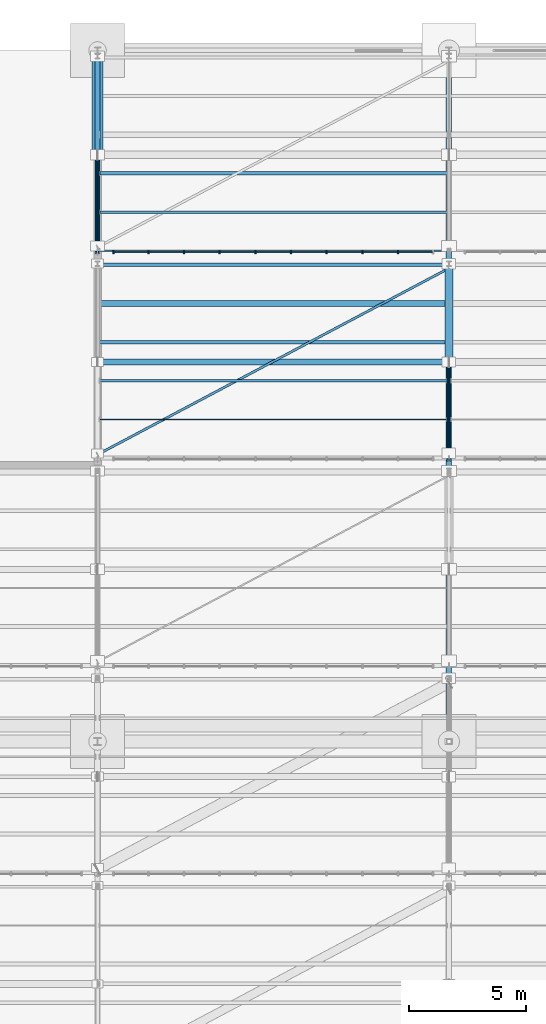
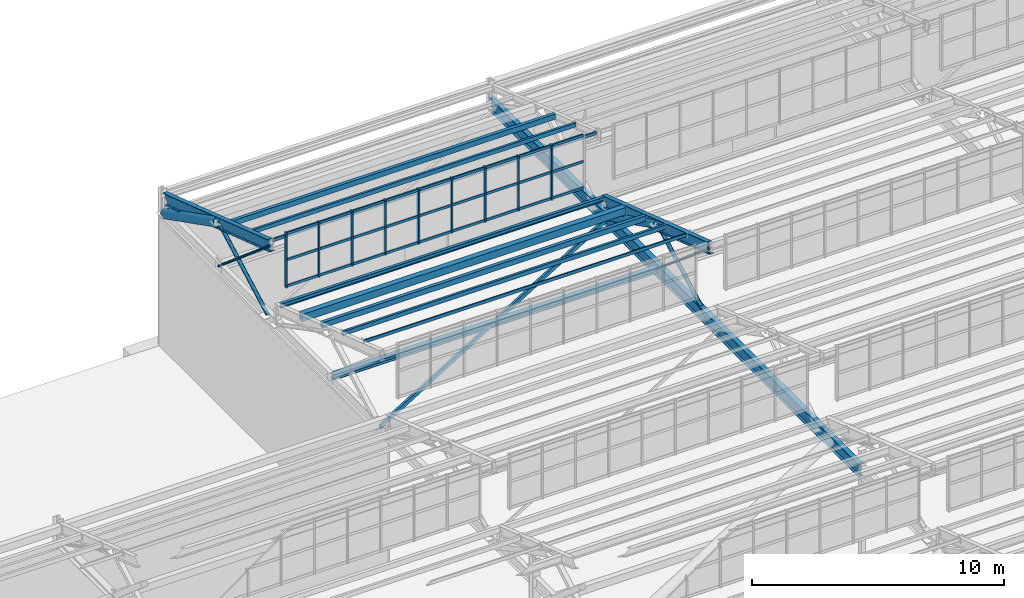
# One storey, part 134 of 285: 44 members, 11 beams, 1 element without a shape of its own.
"""IFC4 building model written with IfcOpenShell, lengths in metres."""

from ifc_helpers import new_model, si_unit, direction, frame, origin, origin_2d, place, context, subcontext, project, spatial, rectangle, hollow_rectangle, hollow_circle, i_section, extrude, material, material_profile, profile_set, type_object, element, aggregate, save


model = new_model("IFC4")

# Units and contexts
model_context = context("Model", 3, precision=1e-05, world=origin(), true_north=direction((0.0, 1.0)))
body_context = subcontext(model_context, "Body", "Model", "MODEL_VIEW")
ifc_project = project(units=[si_unit("LENGTHUNIT", "METRE"), si_unit("AREAUNIT", "SQUARE_METRE"), si_unit("VOLUMEUNIT", "CUBIC_METRE"), si_unit("PLANEANGLEUNIT", "RADIAN"), si_unit("MASSUNIT", "GRAM", prefix="KILO")], contexts=[model_context])

# Site, building, storey
site_placement = place(None, origin())
site = spatial("IfcSite", under=ifc_project, at=site_placement, CompositionType="ELEMENT")
building_placement = place(site_placement, origin())
building = spatial("IfcBuilding", under=site, at=building_placement, Name="Solanera Park Tramway Depot", CompositionType="ELEMENT")
storey_placement = place(building_placement, origin())
storey = spatial("IfcBuildingStorey", under=building, at=storey_placement, Name="L00", CompositionType="ELEMENT", Elevation=0.0)

# Curtain wall, members
ifc_material_1 = material(Name="Bronze-anodised thermally broken aluminium curtain wall", Category="aluminium")
curtain_wall_type = type_object("IfcCurtainWallType", Name="Sawtooth Clerestory Monitor Curtain Wall", PredefinedType="NOTDEFINED", material=ifc_material_1)
curtain_wall_placement = place(storey_placement, origin())
curtain_wall = element("IfcCurtainWall", 1, at=curtain_wall_placement, inside=storey, type_object=curtain_wall_type, Name="L00 Sawtooth Clerestory Monitor Curtain Wall #069", PredefinedType="NOTDEFINED")
ifc_material_2 = material(Name="Bronze-anodised structural aluminium 6063-T6", Category="aluminium")
ifc_material_profile_1 = material_profile(ifc_material_2, rectangle(XDim=0.06494140625, YDim=0.14990234375, at=origin_2d()), Name="Curtain Wall Mullion 65x150")
ifc_profile_set_1 = profile_set([ifc_material_profile_1], Name="Bronze-anodised structural aluminium 6063-T6")
member_type_1 = type_object("IfcMemberType", Name="Curtain Wall Mullion 65x150", PredefinedType="MULLION", material=ifc_profile_set_1)
member_1_placement = place(storey_placement, frame((90.6826171875, 135.39990234375, 7.75), z_axis=(0.0, 0.0, 1.0), x_axis=(1.0, 0.0, 0.0)))
member_1 = element("IfcMember", 2, at=member_1_placement, type_object=member_type_1, Name="CW-L00-069 Mullion 1", PredefinedType="MULLION", context=body_context, shape_type="SweptSolid", body=[
    extrude(rectangle(XDim=0.06494140625, YDim=0.14990234375, at=origin_2d()), origin(), (0.0, 0.0, 1.0), 2.6611328125),
])
member_2_placement = place(storey_placement, frame((92.172119140625, 135.39990234375, 7.75), z_axis=(0.0, 0.0, 1.0), x_axis=(1.0, 0.0, 0.0)))
member_2 = element("IfcMember", 3, at=member_2_placement, type_object=member_type_1, Name="CW-L00-069 Mullion 2", PredefinedType="MULLION", context=body_context, shape_type="SweptSolid", body=[
    extrude(rectangle(XDim=0.06494140625, YDim=0.14990234375, at=origin_2d()), origin(), (0.0, 0.0, 1.0), 2.6611328125),
])
member_3_placement = place(storey_placement, frame((93.6943359375, 135.39990234375, 7.75), z_axis=(0.0, 0.0, 1.0), x_axis=(1.0, 0.0, 0.0)))
member_3 = element("IfcMember", 4, at=member_3_placement, type_object=member_type_1, Name="CW-L00-069 Mullion 3", PredefinedType="MULLION", context=body_context, shape_type="SweptSolid", body=[
    extrude(rectangle(XDim=0.06494140625, YDim=0.14990234375, at=origin_2d()), origin(), (0.0, 0.0, 1.0), 2.6611328125),
])
member_4_placement = place(storey_placement, frame((95.216796875, 135.39990234375, 7.75), z_axis=(0.0, 0.0, 1.0), x_axis=(1.0, 0.0, 0.0)))
member_4 = element("IfcMember", 5, at=member_4_placement, type_object=member_type_1, Name="CW-L00-069 Mullion 4", PredefinedType="MULLION", context=body_context, shape_type="SweptSolid", body=[
    extrude(rectangle(XDim=0.06494140625, YDim=0.14990234375, at=origin_2d()), origin(), (0.0, 0.0, 1.0), 2.6611328125),
])
member_5_placement = place(storey_placement, frame((96.739013671875, 135.39990234375, 7.75), z_axis=(0.0, 0.0, 1.0), x_axis=(1.0, 0.0, 0.0)))
member_5 = element("IfcMember", 6, at=member_5_placement, type_object=member_type_1, Name="CW-L00-069 Mullion 5", PredefinedType="MULLION", context=body_context, shape_type="SweptSolid", body=[
    extrude(rectangle(XDim=0.06494140625, YDim=0.14990234375, at=origin_2d()), origin(), (0.0, 0.0, 1.0), 2.6611328125),
])
member_6_placement = place(storey_placement, frame((98.260986328125, 135.39990234375, 7.75), z_axis=(0.0, 0.0, 1.0), x_axis=(1.0, 0.0, 0.0)))
member_6 = element("IfcMember", 7, at=member_6_placement, type_object=member_type_1, Name="CW-L00-069 Mullion 6", PredefinedType="MULLION", context=body_context, shape_type="SweptSolid", body=[
    extrude(rectangle(XDim=0.06494140625, YDim=0.14990234375, at=origin_2d()), origin(), (0.0, 0.0, 1.0), 2.6611328125),
])
member_7_placement = place(storey_placement, frame((99.783203125, 135.39990234375, 7.75), z_axis=(0.0, 0.0, 1.0), x_axis=(1.0, 0.0, 0.0)))
member_7 = element("IfcMember", 8, at=member_7_placement, type_object=member_type_1, Name="CW-L00-069 Mullion 7", PredefinedType="MULLION", context=body_context, shape_type="SweptSolid", body=[
    extrude(rectangle(XDim=0.06494140625, YDim=0.14990234375, at=origin_2d()), origin(), (0.0, 0.0, 1.0), 2.6611328125),
])
member_8_placement = place(storey_placement, frame((101.3056640625, 135.39990234375, 7.75), z_axis=(0.0, 0.0, 1.0), x_axis=(1.0, 0.0, 0.0)))
member_8 = element("IfcMember", 9, at=member_8_placement, type_object=member_type_1, Name="CW-L00-069 Mullion 8", PredefinedType="MULLION", context=body_context, shape_type="SweptSolid", body=[
    extrude(rectangle(XDim=0.06494140625, YDim=0.14990234375, at=origin_2d()), origin(), (0.0, 0.0, 1.0), 2.6611328125),
])
member_9_placement = place(storey_placement, frame((102.827880859375, 135.39990234375, 7.75), z_axis=(0.0, 0.0, 1.0), x_axis=(1.0, 0.0, 0.0)))
member_9 = element("IfcMember", 10, at=member_9_placement, type_object=member_type_1, Name="CW-L00-069 Mullion 9", PredefinedType="MULLION", context=body_context, shape_type="SweptSolid", body=[
    extrude(rectangle(XDim=0.06494140625, YDim=0.14990234375, at=origin_2d()), origin(), (0.0, 0.0, 1.0), 2.6611328125),
])
ifc_material_3 = material(Name="Bronze-anodised structural aluminium 6063-T6", Category="aluminium")
ifc_material_profile_2 = material_profile(ifc_material_3, rectangle(XDim=0.06494140625, YDim=0.1201171875, at=origin_2d()), Name="Curtain Wall Transom 65x120")
ifc_profile_set_2 = profile_set([ifc_material_profile_2], Name="Bronze-anodised structural aluminium 6063-T6")
member_type_2 = type_object("IfcMemberType", Name="Curtain Wall Transom 65x120", PredefinedType="USERDEFINED", material=ifc_profile_set_2)
member_10_placement = place(storey_placement, frame((90.71044921875, 135.39990234375, 7.81005859375), z_axis=(1.0, 0.0, 0.0), x_axis=(0.0, 1.0, 0.0)))
member_10 = element("IfcMember", 11, at=member_10_placement, type_object=member_type_2, Name="CW-L00-069 Transom R1.C1", ObjectType="TRANSOM", PredefinedType="USERDEFINED", context=body_context, shape_type="SweptSolid", body=[
    extrude(rectangle(XDim=0.06494140625, YDim=0.1201171875, at=origin_2d()), origin(), (0.0, 0.0, 1.0), 1.433837890625),
])
member_11_placement = place(storey_placement, frame((92.2001953125, 135.39990234375, 7.81005859375), z_axis=(1.0, 0.0, 0.0), x_axis=(0.0, 1.0, 0.0)))
member_11 = element("IfcMember", 12, at=member_11_placement, type_object=member_type_2, Name="CW-L00-069 Transom R1.C2", ObjectType="TRANSOM", PredefinedType="USERDEFINED", context=body_context, shape_type="SweptSolid", body=[
    extrude(rectangle(XDim=0.06494140625, YDim=0.1201171875, at=origin_2d()), origin(), (0.0, 0.0, 1.0), 1.46630859375),
])
member_12_placement = place(storey_placement, frame((93.722412109375, 135.39990234375, 7.81005859375), z_axis=(1.0, 0.0, 0.0), x_axis=(0.0, 1.0, 0.0)))
member_12 = element("IfcMember", 13, at=member_12_placement, type_object=member_type_2, Name="CW-L00-069 Transom R1.C3", ObjectType="TRANSOM", PredefinedType="USERDEFINED", context=body_context, shape_type="SweptSolid", body=[
    extrude(rectangle(XDim=0.06494140625, YDim=0.1201171875, at=origin_2d()), origin(), (0.0, 0.0, 1.0), 1.46630859375),
])
member_13_placement = place(storey_placement, frame((95.24462890625, 135.39990234375, 7.81005859375), z_axis=(1.0, 0.0, 0.0), x_axis=(0.0, 1.0, 0.0)))
member_13 = element("IfcMember", 14, at=member_13_placement, type_object=member_type_2, Name="CW-L00-069 Transom R1.C4", ObjectType="TRANSOM", PredefinedType="USERDEFINED", context=body_context, shape_type="SweptSolid", body=[
    extrude(rectangle(XDim=0.06494140625, YDim=0.1201171875, at=origin_2d()), origin(), (0.0, 0.0, 1.0), 1.46630859375),
])
member_14_placement = place(storey_placement, frame((96.766845703125, 135.39990234375, 7.81005859375), z_axis=(1.0, 0.0, 0.0), x_axis=(0.0, 1.0, 0.0)))
member_14 = element("IfcMember", 15, at=member_14_placement, type_object=member_type_2, Name="CW-L00-069 Transom R1.C5", ObjectType="TRANSOM", PredefinedType="USERDEFINED", context=body_context, shape_type="SweptSolid", body=[
    extrude(rectangle(XDim=0.06494140625, YDim=0.1201171875, at=origin_2d()), origin(), (0.0, 0.0, 1.0), 1.46630859375),
])
member_15_placement = place(storey_placement, frame((98.2890625, 135.39990234375, 7.81005859375), z_axis=(1.0, 0.0, 0.0), x_axis=(0.0, 1.0, 0.0)))
member_15 = element("IfcMember", 16, at=member_15_placement, type_object=member_type_2, Name="CW-L00-069 Transom R1.C6", ObjectType="TRANSOM", PredefinedType="USERDEFINED", context=body_context, shape_type="SweptSolid", body=[
    extrude(rectangle(XDim=0.06494140625, YDim=0.1201171875, at=origin_2d()), origin(), (0.0, 0.0, 1.0), 1.46630859375),
])
member_16_placement = place(storey_placement, frame((99.811279296875, 135.39990234375, 7.81005859375), z_axis=(1.0, 0.0, 0.0), x_axis=(0.0, 1.0, 0.0)))
member_16 = element("IfcMember", 17, at=member_16_placement, type_object=member_type_2, Name="CW-L00-069 Transom R1.C7", ObjectType="TRANSOM", PredefinedType="USERDEFINED", context=body_context, shape_type="SweptSolid", body=[
    extrude(rectangle(XDim=0.06494140625, YDim=0.1201171875, at=origin_2d()), origin(), (0.0, 0.0, 1.0), 1.46630859375),
])
member_17_placement = place(storey_placement, frame((101.33349609375, 135.39990234375, 7.81005859375), z_axis=(1.0, 0.0, 0.0), x_axis=(0.0, 1.0, 0.0)))
member_17 = element("IfcMember", 18, at=member_17_placement, type_object=member_type_2, Name="CW-L00-069 Transom R1.C8", ObjectType="TRANSOM", PredefinedType="USERDEFINED", context=body_context, shape_type="SweptSolid", body=[
    extrude(rectangle(XDim=0.06494140625, YDim=0.1201171875, at=origin_2d()), origin(), (0.0, 0.0, 1.0), 1.46630859375),
])
member_18_placement = place(storey_placement, frame((102.855712890625, 135.39990234375, 7.81005859375), z_axis=(1.0, 0.0, 0.0), x_axis=(0.0, 1.0, 0.0)))
member_18 = element("IfcMember", 19, at=member_18_placement, type_object=member_type_2, Name="CW-L00-069 Transom R1.C9", ObjectType="TRANSOM", PredefinedType="USERDEFINED", context=body_context, shape_type="SweptSolid", body=[
    extrude(rectangle(XDim=0.06494140625, YDim=0.1201171875, at=origin_2d()), origin(), (0.0, 0.0, 1.0), 1.433837890625),
])
member_19_placement = place(storey_placement, frame((90.71044921875, 135.39990234375, 9.08056640625), z_axis=(1.0, 0.0, 0.0), x_axis=(0.0, 1.0, 0.0)))
member_19 = element("IfcMember", 20, at=member_19_placement, type_object=member_type_2, Name="CW-L00-069 Transom R2.C1", ObjectType="TRANSOM", PredefinedType="USERDEFINED", context=body_context, shape_type="SweptSolid", body=[
    extrude(rectangle(XDim=0.06494140625, YDim=0.1201171875, at=origin_2d()), origin(), (0.0, 0.0, 1.0), 1.433837890625),
])
member_20_placement = place(storey_placement, frame((92.2001953125, 135.39990234375, 9.08056640625), z_axis=(1.0, 0.0, 0.0), x_axis=(0.0, 1.0, 0.0)))
member_20 = element("IfcMember", 21, at=member_20_placement, type_object=member_type_2, Name="CW-L00-069 Transom R2.C2", ObjectType="TRANSOM", PredefinedType="USERDEFINED", context=body_context, shape_type="SweptSolid", body=[
    extrude(rectangle(XDim=0.06494140625, YDim=0.1201171875, at=origin_2d()), origin(), (0.0, 0.0, 1.0), 1.46630859375),
])
member_21_placement = place(storey_placement, frame((93.722412109375, 135.39990234375, 9.08056640625), z_axis=(1.0, 0.0, 0.0), x_axis=(0.0, 1.0, 0.0)))
member_21 = element("IfcMember", 22, at=member_21_placement, type_object=member_type_2, Name="CW-L00-069 Transom R2.C3", ObjectType="TRANSOM", PredefinedType="USERDEFINED", context=body_context, shape_type="SweptSolid", body=[
    extrude(rectangle(XDim=0.06494140625, YDim=0.1201171875, at=origin_2d()), origin(), (0.0, 0.0, 1.0), 1.46630859375),
])
member_22_placement = place(storey_placement, frame((95.24462890625, 135.39990234375, 9.08056640625), z_axis=(1.0, 0.0, 0.0), x_axis=(0.0, 1.0, 0.0)))
member_22 = element("IfcMember", 23, at=member_22_placement, type_object=member_type_2, Name="CW-L00-069 Transom R2.C4", ObjectType="TRANSOM", PredefinedType="USERDEFINED", context=body_context, shape_type="SweptSolid", body=[
    extrude(rectangle(XDim=0.06494140625, YDim=0.1201171875, at=origin_2d()), origin(), (0.0, 0.0, 1.0), 1.46630859375),
])
member_23_placement = place(storey_placement, frame((96.766845703125, 135.39990234375, 9.08056640625), z_axis=(1.0, 0.0, 0.0), x_axis=(0.0, 1.0, 0.0)))
member_23 = element("IfcMember", 24, at=member_23_placement, type_object=member_type_2, Name="CW-L00-069 Transom R2.C5", ObjectType="TRANSOM", PredefinedType="USERDEFINED", context=body_context, shape_type="SweptSolid", body=[
    extrude(rectangle(XDim=0.06494140625, YDim=0.1201171875, at=origin_2d()), origin(), (0.0, 0.0, 1.0), 1.46630859375),
])
member_24_placement = place(storey_placement, frame((98.2890625, 135.39990234375, 9.08056640625), z_axis=(1.0, 0.0, 0.0), x_axis=(0.0, 1.0, 0.0)))
member_24 = element("IfcMember", 25, at=member_24_placement, type_object=member_type_2, Name="CW-L00-069 Transom R2.C6", ObjectType="TRANSOM", PredefinedType="USERDEFINED", context=body_context, shape_type="SweptSolid", body=[
    extrude(rectangle(XDim=0.06494140625, YDim=0.1201171875, at=origin_2d()), origin(), (0.0, 0.0, 1.0), 1.46630859375),
])
member_25_placement = place(storey_placement, frame((99.811279296875, 135.39990234375, 9.08056640625), z_axis=(1.0, 0.0, 0.0), x_axis=(0.0, 1.0, 0.0)))
member_25 = element("IfcMember", 26, at=member_25_placement, type_object=member_type_2, Name="CW-L00-069 Transom R2.C7", ObjectType="TRANSOM", PredefinedType="USERDEFINED", context=body_context, shape_type="SweptSolid", body=[
    extrude(rectangle(XDim=0.06494140625, YDim=0.1201171875, at=origin_2d()), origin(), (0.0, 0.0, 1.0), 1.46630859375),
])
member_26_placement = place(storey_placement, frame((101.33349609375, 135.39990234375, 9.08056640625), z_axis=(1.0, 0.0, 0.0), x_axis=(0.0, 1.0, 0.0)))
member_26 = element("IfcMember", 27, at=member_26_placement, type_object=member_type_2, Name="CW-L00-069 Transom R2.C8", ObjectType="TRANSOM", PredefinedType="USERDEFINED", context=body_context, shape_type="SweptSolid", body=[
    extrude(rectangle(XDim=0.06494140625, YDim=0.1201171875, at=origin_2d()), origin(), (0.0, 0.0, 1.0), 1.46630859375),
])
member_27_placement = place(storey_placement, frame((102.855712890625, 135.39990234375, 9.08056640625), z_axis=(1.0, 0.0, 0.0), x_axis=(0.0, 1.0, 0.0)))
member_27 = element("IfcMember", 28, at=member_27_placement, type_object=member_type_2, Name="CW-L00-069 Transom R2.C9", ObjectType="TRANSOM", PredefinedType="USERDEFINED", context=body_context, shape_type="SweptSolid", body=[
    extrude(rectangle(XDim=0.06494140625, YDim=0.1201171875, at=origin_2d()), origin(), (0.0, 0.0, 1.0), 1.433837890625),
])
member_28_placement = place(storey_placement, frame((90.71044921875, 135.39990234375, 10.351318359375), z_axis=(1.0, 0.0, 0.0), x_axis=(0.0, 1.0, 0.0)))
member_28 = element("IfcMember", 29, at=member_28_placement, type_object=member_type_2, Name="CW-L00-069 Transom R3.C1", ObjectType="TRANSOM", PredefinedType="USERDEFINED", context=body_context, shape_type="SweptSolid", body=[
    extrude(rectangle(XDim=0.06494140625, YDim=0.1201171875, at=origin_2d()), origin(), (0.0, 0.0, 1.0), 1.433837890625),
])
member_29_placement = place(storey_placement, frame((92.2001953125, 135.39990234375, 10.351318359375), z_axis=(1.0, 0.0, 0.0), x_axis=(0.0, 1.0, 0.0)))
member_29 = element("IfcMember", 30, at=member_29_placement, type_object=member_type_2, Name="CW-L00-069 Transom R3.C2", ObjectType="TRANSOM", PredefinedType="USERDEFINED", context=body_context, shape_type="SweptSolid", body=[
    extrude(rectangle(XDim=0.06494140625, YDim=0.1201171875, at=origin_2d()), origin(), (0.0, 0.0, 1.0), 1.46630859375),
])
member_30_placement = place(storey_placement, frame((93.722412109375, 135.39990234375, 10.351318359375), z_axis=(1.0, 0.0, 0.0), x_axis=(0.0, 1.0, 0.0)))
member_30 = element("IfcMember", 31, at=member_30_placement, type_object=member_type_2, Name="CW-L00-069 Transom R3.C3", ObjectType="TRANSOM", PredefinedType="USERDEFINED", context=body_context, shape_type="SweptSolid", body=[
    extrude(rectangle(XDim=0.06494140625, YDim=0.1201171875, at=origin_2d()), origin(), (0.0, 0.0, 1.0), 1.46630859375),
])
member_31_placement = place(storey_placement, frame((95.24462890625, 135.39990234375, 10.351318359375), z_axis=(1.0, 0.0, 0.0), x_axis=(0.0, 1.0, 0.0)))
member_31 = element("IfcMember", 32, at=member_31_placement, type_object=member_type_2, Name="CW-L00-069 Transom R3.C4", ObjectType="TRANSOM", PredefinedType="USERDEFINED", context=body_context, shape_type="SweptSolid", body=[
    extrude(rectangle(XDim=0.06494140625, YDim=0.1201171875, at=origin_2d()), origin(), (0.0, 0.0, 1.0), 1.46630859375),
])
member_32_placement = place(storey_placement, frame((96.766845703125, 135.39990234375, 10.351318359375), z_axis=(1.0, 0.0, 0.0), x_axis=(0.0, 1.0, 0.0)))
member_32 = element("IfcMember", 33, at=member_32_placement, type_object=member_type_2, Name="CW-L00-069 Transom R3.C5", ObjectType="TRANSOM", PredefinedType="USERDEFINED", context=body_context, shape_type="SweptSolid", body=[
    extrude(rectangle(XDim=0.06494140625, YDim=0.1201171875, at=origin_2d()), origin(), (0.0, 0.0, 1.0), 1.46630859375),
])
member_33_placement = place(storey_placement, frame((98.2890625, 135.39990234375, 10.351318359375), z_axis=(1.0, 0.0, 0.0), x_axis=(0.0, 1.0, 0.0)))
member_33 = element("IfcMember", 34, at=member_33_placement, type_object=member_type_2, Name="CW-L00-069 Transom R3.C6", ObjectType="TRANSOM", PredefinedType="USERDEFINED", context=body_context, shape_type="SweptSolid", body=[
    extrude(rectangle(XDim=0.06494140625, YDim=0.1201171875, at=origin_2d()), origin(), (0.0, 0.0, 1.0), 1.46630859375),
])
member_34_placement = place(storey_placement, frame((99.811279296875, 135.39990234375, 10.351318359375), z_axis=(1.0, 0.0, 0.0), x_axis=(0.0, 1.0, 0.0)))
member_34 = element("IfcMember", 35, at=member_34_placement, type_object=member_type_2, Name="CW-L00-069 Transom R3.C7", ObjectType="TRANSOM", PredefinedType="USERDEFINED", context=body_context, shape_type="SweptSolid", body=[
    extrude(rectangle(XDim=0.06494140625, YDim=0.1201171875, at=origin_2d()), origin(), (0.0, 0.0, 1.0), 1.46630859375),
])
member_35_placement = place(storey_placement, frame((101.33349609375, 135.39990234375, 10.351318359375), z_axis=(1.0, 0.0, 0.0), x_axis=(0.0, 1.0, 0.0)))
member_35 = element("IfcMember", 36, at=member_35_placement, type_object=member_type_2, Name="CW-L00-069 Transom R3.C8", ObjectType="TRANSOM", PredefinedType="USERDEFINED", context=body_context, shape_type="SweptSolid", body=[
    extrude(rectangle(XDim=0.06494140625, YDim=0.1201171875, at=origin_2d()), origin(), (0.0, 0.0, 1.0), 1.46630859375),
])
member_36_placement = place(storey_placement, frame((102.855712890625, 135.39990234375, 10.351318359375), z_axis=(1.0, 0.0, 0.0), x_axis=(0.0, 1.0, 0.0)))
member_36 = element("IfcMember", 37, at=member_36_placement, type_object=member_type_2, Name="CW-L00-069 Transom R3.C9", ObjectType="TRANSOM", PredefinedType="USERDEFINED", context=body_context, shape_type="SweptSolid", body=[
    extrude(rectangle(XDim=0.06494140625, YDim=0.1201171875, at=origin_2d()), origin(), (0.0, 0.0, 1.0), 1.433837890625),
])
aggregate(curtain_wall, [member_1, member_2, member_3, member_4, member_5, member_6, member_7, member_8, member_9, member_10, member_11, member_12, member_13, member_14, member_15, member_16, member_17, member_18, member_19, member_20, member_21, member_22, member_23, member_24, member_25, member_26, member_27, member_28, member_29, member_30, member_31, member_32, member_33, member_34, member_35, member_36])

# Members
ifc_material_4 = material(Name="Steel AS/NZS 1163 Grade C350L0", Category="steel")
ifc_material_profile_3 = material_profile(ifc_material_4, hollow_circle(Radius=0.084228515625, WallThickness=0.00634765625, at=origin_2d()), Name="168.3x6.4 CHS")
ifc_profile_set_3 = profile_set([ifc_material_profile_3], Name="Steel AS/NZS 1163 Grade C350L0")
member_type_3 = type_object("IfcMemberType", Name="Roof Gantry Compression Strut 168.3x6.4 CHS", PredefinedType="STRUT", material=ifc_profile_set_3)
for number, where, z_axis, x_axis, name in (
    (38, (105.0, 126.800048828125, 6.5), (0.0, 0.877666599941, 0.479271675929), (-1.0, 0.0, 0.0), "Sawtooth ROOF TRUSS Strut 168.3x6.4 CHS #0384"),
    (39, (90.0, 135.64990234375, 6.5), (0.0, 0.877679219611, 0.479248565425), (-1.0, 0.0, 0.0), "Sawtooth ROOF TRUSS Strut 168.3x6.4 CHS #0415"),
):
    element("IfcMember", number, at=place(storey_placement, frame(where, z_axis=z_axis, x_axis=x_axis)), inside=storey, type_object=member_type_3, Name=name, PredefinedType="STRUT", context=body_context, shape_type="SweptSolid", body=[
        extrude(hollow_circle(Radius=0.084228515625, WallThickness=0.00634765625, at=origin_2d()), origin(), (0.0, 0.0, 1.0), 4.443603515625),
    ])
ifc_material_5 = material(Name="Steel AS/NZS 3679.1 Grade 350", Category="steel")
ifc_material_profile_4 = material_profile(ifc_material_5, i_section(OverallWidth=0.25390625, OverallDepth=0.25390625, WebThickness=0.008544921875, FlangeThickness=0.01416015625, at=origin_2d()), Name="250UC72.9")
ifc_profile_set_4 = profile_set([ifc_material_profile_4], Name="Steel AS/NZS 3679.1 Grade 350")
member_type_4 = type_object("IfcMemberType", Name="Secondary Truss Chord 250UC72.9", PredefinedType="CHORD", material=ifc_profile_set_4)
member_37_placement = place(storey_placement, frame((90.087890625, 130.699951171875, 6.5), z_axis=(1.0, 0.0, 0.0), x_axis=(0.0, 1.0, 0.0)))
element("IfcMember", 40, at=member_37_placement, inside=storey, type_object=member_type_4, Name="Sawtooth Longitudinal Tie Chord 250UC72.9 #0396", PredefinedType="CHORD", context=body_context, shape_type="SweptSolid", body=[
    extrude(i_section(OverallWidth=0.25390625, OverallDepth=0.25390625, WebThickness=0.008544921875, FlangeThickness=0.01416015625, at=origin_2d()), origin(), (0.0, 0.0, 1.0), 14.82421875),
])

# Beams
ifc_material_6 = material(Name="Steel AS/NZS 3679.1 Grade 350", Category="steel")
ifc_material_profile_5 = material_profile(ifc_material_6, i_section(OverallWidth=0.209228515625, OverallDepth=0.532958984375, WebThickness=0.01025390625, FlangeThickness=0.015625, at=origin_2d()), Name="530UB92.4")
ifc_profile_set_5 = profile_set([ifc_material_profile_5], Name="Steel AS/NZS 3679.1 Grade 350")
beam_type_1 = type_object("IfcBeamType", Name="Steel Beam 530UB92.4", PredefinedType="BEAM", material=ifc_profile_set_5)
beam_1_placement = place(storey_placement, frame((105.0, 126.550048828125, 10.018310546875), z_axis=(0.0, 0.948319437663, -0.317317261034), x_axis=(-1.0, 0.0, 0.0)))
element("IfcBeam", 41, at=beam_1_placement, inside=storey, type_object=beam_type_1, Name="Sawtooth ROOF TRUSS Top Rafter 530UB92.4 B09-T6", PredefinedType="BEAM", context=body_context, shape_type="SweptSolid", body=[
    extrude(i_section(OverallWidth=0.209228515625, OverallDepth=0.532958984375, WebThickness=0.01025390625, FlangeThickness=0.015625, at=origin_2d()), origin(), (0.0, 0.0, 1.0), 8.804931640625),
])
beam_2_placement = place(storey_placement, frame((90.0, 135.39990234375, 10.018310546875), z_axis=(0.0, 0.948322229475, -0.317308917435), x_axis=(-1.0, 0.0, 0.0)))
element("IfcBeam", 42, at=beam_2_placement, inside=storey, type_object=beam_type_1, Name="Sawtooth ROOF TRUSS Top Rafter 530UB92.4 B10-T5", PredefinedType="BEAM", context=body_context, shape_type="SweptSolid", body=[
    extrude(i_section(OverallWidth=0.209228515625, OverallDepth=0.532958984375, WebThickness=0.01025390625, FlangeThickness=0.015625, at=origin_2d()), origin(), (0.0, 0.0, 1.0), 8.80517578125),
])
ifc_material_7 = material(Name="Steel AS/NZS 3679.1 Grade 350", Category="steel")
ifc_material_profile_6 = material_profile(ifc_material_7, i_section(OverallWidth=0.22900390625, OverallDepth=0.611572265625, WebThickness=0.011962890625, FlangeThickness=0.01953125, at=origin_2d()), Name="610UB125")
ifc_profile_set_6 = profile_set([ifc_material_profile_6], Name="Steel AS/NZS 3679.1 Grade 350")
beam_type_2 = type_object("IfcBeamType", Name="Steel Beam 610UB125", PredefinedType="BEAM", material=ifc_profile_set_6)
beam_3_placement = place(storey_placement, frame((105.0, 114.60009765625, 6.5), z_axis=(0.0, 1.0, 0.0), x_axis=(-1.0, 0.0, 0.0)))
element("IfcBeam", 43, at=beam_3_placement, inside=storey, type_object=beam_type_2, Name="Sawtooth ROOF TRUSS Bottom Chord 610UB125 #0390", PredefinedType="BEAM", context=body_context, shape_type="SweptSolid", body=[
    extrude(i_section(OverallWidth=0.22900390625, OverallDepth=0.611572265625, WebThickness=0.011962890625, FlangeThickness=0.01953125, at=origin_2d()), origin(), (0.0, 0.0, 1.0), 29.272216796875),
])
ifc_material_8 = material(Name="Steel AS/NZS 1163 Grade C350L0", Category="steel")
ifc_material_profile_7 = material_profile(ifc_material_8, hollow_rectangle(XDim=0.050048828125, YDim=0.14990234375, WallThickness=0.0048828125, at=origin_2d()), Name="150x50x5.0 RHS")
ifc_profile_set_7 = profile_set([ifc_material_profile_7], Name="Steel AS/NZS 1163 Grade C350L0")
beam_type_3 = type_object("IfcBeamType", Name="Steel Joist Purlin 150x50x5.0 RHS", PredefinedType="JOIST", material=ifc_profile_set_7)
beam_4_placement = place(storey_placement, frame((90.087158203125, 128.25, 9.654541015625), z_axis=(1.0, 0.0, 0.0), x_axis=(0.0, 1.0, 0.0)))
element("IfcBeam", 44, at=beam_4_placement, inside=storey, type_object=beam_type_3, Name="Sawtooth Roof Purlin 150x50x5.0 RHS B09.2", PredefinedType="JOIST", context=body_context, shape_type="SweptSolid", body=[
    extrude(hollow_rectangle(XDim=0.050048828125, YDim=0.14990234375, WallThickness=0.0048828125, at=origin_2d()), origin(), (0.0, 0.0, 1.0), 14.816162109375),
])
beam_5_placement = place(storey_placement, frame((90.0966796875, 135.449951171875, 10.206787109375), z_axis=(1.0, 0.0, 0.0), x_axis=(0.0, 1.0, 0.0)))
element("IfcBeam", 45, at=beam_5_placement, inside=storey, type_object=beam_type_3, Name="Sawtooth Roof Purlin 150x50x5.0 RHS B10.1", PredefinedType="JOIST", context=body_context, shape_type="SweptSolid", body=[
    extrude(hollow_rectangle(XDim=0.050048828125, YDim=0.14990234375, WallThickness=0.0048828125, at=origin_2d()), origin(), (0.0, 0.0, 1.0), 14.828369140625),
])
ifc_material_9 = material(Name="Steel AS/NZS 3679.1 Grade 350", Category="steel")
ifc_material_profile_8 = material_profile(ifc_material_9, i_section(OverallWidth=0.13330078125, OverallDepth=0.203125, WebThickness=0.005859375, FlangeThickness=0.0078125, at=origin_2d()), Name="200UB25.4")
ifc_profile_set_8 = profile_set([ifc_material_profile_8], Name="Steel AS/NZS 3679.1 Grade 350")
beam_type_4 = type_object("IfcBeamType", Name="Steel Joist Purlin 200UB25.4", PredefinedType="JOIST", material=ifc_profile_set_8)
beam_6_placement = place(storey_placement, frame((90.087158203125, 134.85009765625, 7.40576171875), z_axis=(1.0, 0.0, 0.0), x_axis=(0.0, 1.0, 0.0)))
element("IfcBeam", 46, at=beam_6_placement, inside=storey, type_object=beam_type_4, Name="Sawtooth Roof Purlin 200UB25.4 B09.6", PredefinedType="JOIST", context=body_context, shape_type="SweptSolid", body=[
    extrude(i_section(OverallWidth=0.13330078125, OverallDepth=0.203125, WebThickness=0.005859375, FlangeThickness=0.0078125, at=origin_2d()), origin(), (0.0, 0.0, 1.0), 14.816162109375),
])
ifc_material_10 = material(Name="Steel AS/NZS 1163 Grade C350L0", Category="steel")
ifc_material_profile_9 = material_profile(ifc_material_10, hollow_rectangle(XDim=0.10009765625, YDim=0.199951171875, WallThickness=0.006103515625, at=origin_2d()), Name="200x100x6.0 RHS")
ifc_profile_set_9 = profile_set([ifc_material_profile_9], Name="Steel AS/NZS 1163 Grade C350L0")
beam_type_5 = type_object("IfcBeamType", Name="Steel Joist Purlin 200x100x6.0 RHS", PredefinedType="JOIST", material=ifc_profile_set_9)
beam_7_placement = place(storey_placement, frame((90.087158203125, 129.89990234375, 9.069091796875), z_axis=(1.0, 0.0, 0.0), x_axis=(0.0, 1.0, 0.0)))
element("IfcBeam", 47, at=beam_7_placement, inside=storey, type_object=beam_type_5, Name="Sawtooth Roof Purlin 200x100x6.0 RHS B09.3", PredefinedType="JOIST", context=body_context, shape_type="SweptSolid", body=[
    extrude(hollow_rectangle(XDim=0.10009765625, YDim=0.199951171875, WallThickness=0.006103515625, at=origin_2d()), origin(), (0.0, 0.0, 1.0), 14.816162109375),
])
beam_8_placement = place(storey_placement, frame((90.0966796875, 137.10009765625, 9.621337890625), z_axis=(1.0, 0.0, 0.0), x_axis=(0.0, 1.0, 0.0)))
element("IfcBeam", 48, at=beam_8_placement, inside=storey, type_object=beam_type_5, Name="Sawtooth Roof Purlin 200x100x6.0 RHS B10.2", PredefinedType="JOIST", context=body_context, shape_type="SweptSolid", body=[
    extrude(hollow_rectangle(XDim=0.10009765625, YDim=0.199951171875, WallThickness=0.006103515625, at=origin_2d()), origin(), (0.0, 0.0, 1.0), 14.828369140625),
])
ifc_material_11 = material(Name="Steel AS/NZS 1163 Grade C350L0", Category="steel")
ifc_material_profile_10 = material_profile(ifc_material_11, hollow_rectangle(XDim=0.14990234375, YDim=0.25, WallThickness=0.008056640625, at=origin_2d()), Name="250x150x8.0 RHS")
ifc_profile_set_10 = profile_set([ifc_material_profile_10], Name="Steel AS/NZS 1163 Grade C350L0")
beam_type_6 = type_object("IfcBeamType", Name="Steel Joist Purlin 250x150x8.0 RHS", PredefinedType="JOIST", material=ifc_profile_set_10)
beam_9_placement = place(storey_placement, frame((90.087158203125, 131.550048828125, 8.483642578125), z_axis=(1.0, 0.0, 0.0), x_axis=(0.0, 1.0, 0.0)))
element("IfcBeam", 49, at=beam_9_placement, inside=storey, type_object=beam_type_6, Name="Sawtooth Roof Purlin 250x150x8.0 RHS B09.4", PredefinedType="JOIST", context=body_context, shape_type="SweptSolid", body=[
    extrude(hollow_rectangle(XDim=0.14990234375, YDim=0.25, WallThickness=0.008056640625, at=origin_2d()), origin(), (0.0, 0.0, 1.0), 14.816162109375),
])
beam_10_placement = place(storey_placement, frame((90.0966796875, 138.75, 9.035888671875), z_axis=(1.0, 0.0, 0.0), x_axis=(0.0, 1.0, 0.0)))
element("IfcBeam", 50, at=beam_10_placement, inside=storey, type_object=beam_type_6, Name="Sawtooth Roof Purlin 250x150x8.0 RHS B10.3", PredefinedType="JOIST", context=body_context, shape_type="SweptSolid", body=[
    extrude(hollow_rectangle(XDim=0.14990234375, YDim=0.25, WallThickness=0.008056640625, at=origin_2d()), origin(), (0.0, 0.0, 1.0), 14.828369140625),
])
ifc_material_12 = material(Name="Steel AS/NZS 1163 Grade C350L0", Category="steel")
ifc_material_profile_11 = material_profile(ifc_material_12, hollow_rectangle(XDim=0.25, YDim=0.35009765625, WallThickness=0.010009765625, at=origin_2d()), Name="350x250x10.0 RHS")
ifc_profile_set_11 = profile_set([ifc_material_profile_11], Name="Steel AS/NZS 1163 Grade C350L0")
beam_type_7 = type_object("IfcBeamType", Name="Steel Joist Purlin 350x250x10.0 RHS", PredefinedType="JOIST", material=ifc_profile_set_11)
beam_11_placement = place(storey_placement, frame((90.087158203125, 133.199951171875, 7.864990234375), z_axis=(1.0, 0.0, 0.0), x_axis=(0.0, 1.0, 0.0)))
element("IfcBeam", 51, at=beam_11_placement, inside=storey, type_object=beam_type_7, Name="Sawtooth Roof Purlin 350x250x10.0 RHS B09.5", PredefinedType="JOIST", context=body_context, shape_type="SweptSolid", body=[
    extrude(hollow_rectangle(XDim=0.25, YDim=0.35009765625, WallThickness=0.010009765625, at=origin_2d()), origin(), (0.0, 0.0, 1.0), 14.816162109375),
])

# Members
ifc_material_13 = material(Name="Steel AS/NZS 1163 Grade C350L0", Category="steel")
ifc_material_profile_12 = material_profile(ifc_material_13, hollow_circle(Radius=0.05712890625, WallThickness=0.0048828125, at=origin_2d()), Name="114.3x4.8 CHS")
ifc_profile_set_12 = profile_set([ifc_material_profile_12], Name="Steel AS/NZS 1163 Grade C350L0")
member_type_5 = type_object("IfcMemberType", Name="Truss and Frame Brace 114.3x4.8 CHS", PredefinedType="BRACE", material=ifc_profile_set_12)
for number, where, z_axis, x_axis, name in (
    (52, (105.0, 130.699951171875, 6.5), (0.0, -0.762764662408, 0.646676170724), (1.0, 0.0, 0.0), "Sawtooth ROOF TRUSS Web Brace 114.3x4.8 CHS #0382"),
    (53, (90.0, 139.550048828125, 6.5), (0.0, -0.762783427217, 0.646654036686), (1.0, 0.0, 0.0), "Sawtooth ROOF TRUSS Web Brace 114.3x4.8 CHS #0413"),
):
    element("IfcMember", number, at=place(storey_placement, frame(where, z_axis=z_axis, x_axis=x_axis)), inside=storey, type_object=member_type_5, Name=name, PredefinedType="BRACE", context=body_context, shape_type="SweptSolid", body=[
        extrude(hollow_circle(Radius=0.05712890625, WallThickness=0.0048828125, at=origin_2d()), origin(), (0.0, 0.0, 1.0), 5.440673828125),
    ])
ifc_material_14 = material(Name="Steel AS/NZS 1163 Grade C350L0", Category="steel")
ifc_material_profile_13 = material_profile(ifc_material_14, hollow_rectangle(XDim=0.10009765625, YDim=0.199951171875, WallThickness=0.006103515625, at=origin_2d()), Name="200x100x6.0 RHS")
ifc_profile_set_13 = profile_set([ifc_material_profile_13], Name="Steel AS/NZS 1163 Grade C350L0")
member_type_6 = type_object("IfcMemberType", Name="Truss and Frame Brace 200x100x6.0 RHS", PredefinedType="BRACE", material=ifc_profile_set_13)
member_38_placement = place(storey_placement, frame((90.001953125, 126.75, 6.5), z_axis=(0.883523615038, 0.468386615598, 0.0), x_axis=(-0.468386615598, 0.883523615038, 0.0)))
element("IfcMember", 54, at=member_38_placement, inside=storey, type_object=member_type_6, Name="Roof Plane Cyclonic Brace 200x100x6.0 RHS #0397", PredefinedType="BRACE", context=body_context, shape_type="SweptSolid", body=[
    extrude(hollow_rectangle(XDim=0.10009765625, YDim=0.199951171875, WallThickness=0.006103515625, at=origin_2d()), origin(), (0.0, 0.0, 1.0), 16.97314453125),
])
ifc_material_15 = material(Name="Steel AS/NZS 1163 Grade C350L0", Category="steel")
ifc_material_profile_14 = material_profile(ifc_material_15, hollow_circle(Radius=0.177734375, WallThickness=0.0126953125, at=origin_2d()), Name="355.6x12.7 CHS")
ifc_profile_set_14 = profile_set([ifc_material_profile_14], Name="Steel AS/NZS 1163 Grade C350L0")
member_type_7 = type_object("IfcMemberType", Name="Truss and Frame Brace 355.6x12.7 CHS", PredefinedType="BRACE", material=ifc_profile_set_14)
member_39_placement = place(storey_placement, frame((105.0, 134.89990234375, 6.5), z_axis=(0.0, -0.891893316909, 0.452245852665), x_axis=(1.0, 0.0, 0.0)))
element("IfcMember", 55, at=member_39_placement, inside=storey, type_object=member_type_7, Name="Sawtooth ROOF TRUSS Diagonal 355.6x12.7 CHS #0383", PredefinedType="BRACE", context=body_context, shape_type="SweptSolid", body=[
    extrude(hollow_circle(Radius=0.177734375, WallThickness=0.0126953125, at=origin_2d()), origin(), (0.0, 0.0, 1.0), 4.708984375),
])
ifc_material_16 = material(Name="Steel AS/NZS 1163 Grade C350L0", Category="steel")
ifc_material_profile_15 = material_profile(ifc_material_16, hollow_circle(Radius=0.228515625, WallThickness=0.0126953125, at=origin_2d()), Name="457.0x12.7 CHS")
ifc_profile_set_15 = profile_set([ifc_material_profile_15], Name="Steel AS/NZS 1163 Grade C350L0")
member_type_8 = type_object("IfcMemberType", Name="Truss and Frame Brace 457.0x12.7 CHS", PredefinedType="BRACE", material=ifc_profile_set_15)
member_40_placement = place(storey_placement, frame((90.0, 143.75, 6.5), z_axis=(0.0, -0.891893316909, 0.452245852665), x_axis=(1.0, 0.0, 0.0)))
element("IfcMember", 56, at=member_40_placement, inside=storey, type_object=member_type_8, Name="Sawtooth ROOF TRUSS Diagonal 457.0x12.7 CHS #0414", PredefinedType="BRACE", context=body_context, shape_type="SweptSolid", body=[
    extrude(hollow_circle(Radius=0.228515625, WallThickness=0.0126953125, at=origin_2d()), origin(), (0.0, 0.0, 1.0), 4.708984375),
])

save(model, "model.ifc")
